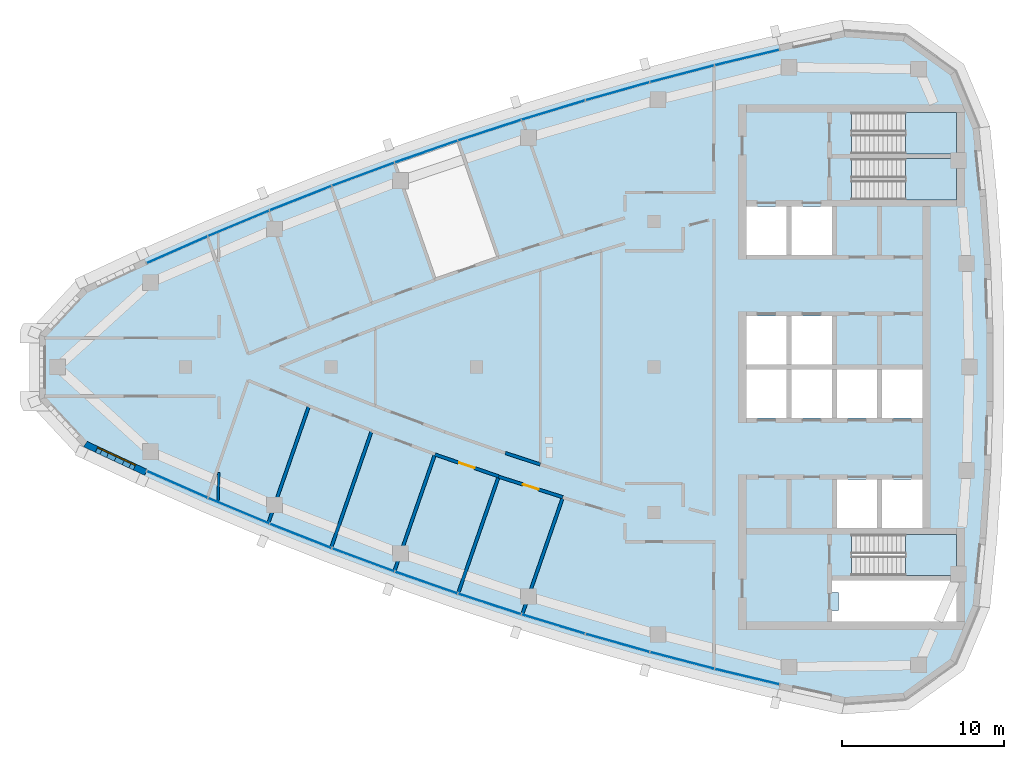
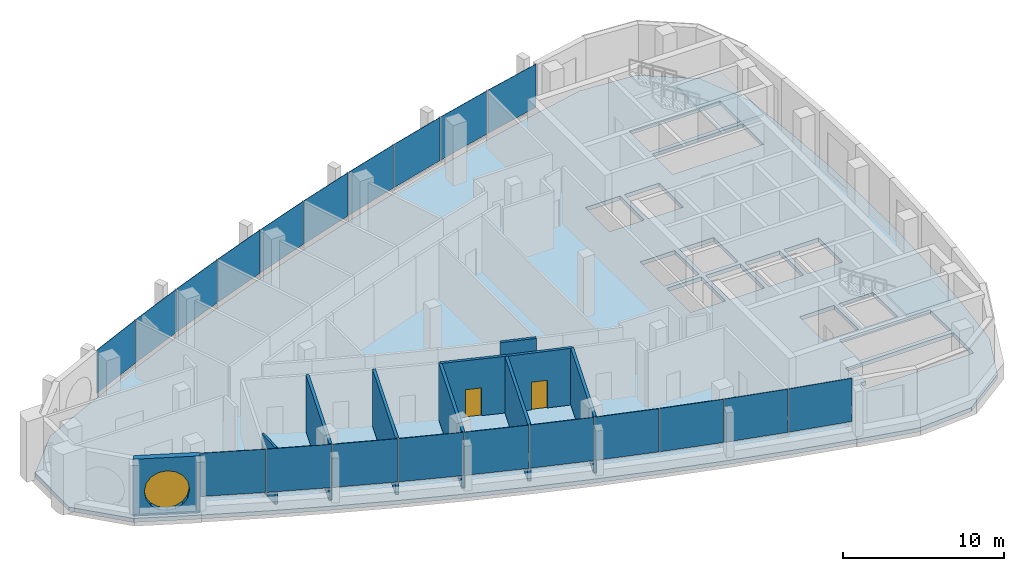
# One storey, part 6 of 15: 20 plates, 10 walls, 4 slabs, 2 doors, 1 window, 4 openings, 13 elements without a shape of their own.
"""IFC4 building model written with IfcOpenShell, lengths in metres."""

from ifc_helpers import new_model, si_unit, direction, frame, frame_2d, origin, origin_2d, place, context, subcontext, project, spatial, polyline, rectangle, outline, extrude, material, layer, layer_set, type_object, element, fill, aggregate, save


model = new_model("IFC4")

# Units and contexts
model_context = context("Model", 3, precision=1e-05, world=origin(), true_north=direction((0.0, 1.0)))
body_context = subcontext(model_context, "Body", "Model", "MODEL_VIEW")
ifc_project = project(units=[si_unit("LENGTHUNIT", "METRE"), si_unit("AREAUNIT", "SQUARE_METRE"), si_unit("VOLUMEUNIT", "CUBIC_METRE"), si_unit("PLANEANGLEUNIT", "RADIAN"), si_unit("MASSUNIT", "GRAM", prefix="KILO")], contexts=[model_context])

# Site, building, storey
site_placement = place(None, origin())
site = spatial("IfcSite", under=ifc_project, at=site_placement, CompositionType="ELEMENT")
building_placement = place(site_placement, origin())
building = spatial("IfcBuilding", under=site, at=building_placement, Name="Ostrand Prow Hotel Tower", CompositionType="ELEMENT")
storey_placement = place(building_placement, frame((0.0, 0.0, 308.60009765625)))
storey = spatial("IfcBuildingStorey", under=building, at=storey_placement, Name="C1", CompositionType="ELEMENT", Elevation=308.60009765625)

# Curtain wall, plates
ifc_material_1 = material(Name="Insulated glass in bronze anodised frame", Category="glass")
ifc_layer_1 = layer(ifc_material_1, 0.199951171875)
ifc_layer_set_1 = layer_set([ifc_layer_1], Name="Insulated glass in bronze anodised frame")
curtain_wall_type = type_object("IfcCurtainWallType", Name="Observation and restaurant glazing wall", PredefinedType="NOTDEFINED", material=ifc_layer_set_1)
curtain_wall_1_placement = place(storey_placement, origin())
curtain_wall_1 = element("IfcCurtainWall", 1, at=curtain_wall_1_placement, inside=storey, type_object=curtain_wall_type, Name="CW6 run CWS1", PredefinedType="NOTDEFINED")
ifc_material_2 = material(Name="Low-iron clear glass", Category="glass")
ifc_layer_2 = layer(ifc_material_2, 0.031982421875)
ifc_layer_set_2 = layer_set([ifc_layer_2], Name="Low-iron clear glass")
plate_type = type_object("IfcPlateType", Name="Clear glass unit 32 mm", PredefinedType="CURTAIN_PANEL", material=ifc_layer_set_2)
plate_1_placement = place(storey_placement, frame((15.493408203125, -7.259765625, 1.02001953125), z_axis=(0.0, 0.0, 1.0), x_axis=(0.914785615941, -0.403939694592, 0.0)))
plate_1 = element("IfcPlate", 2, at=plate_1_placement, type_object=plate_type, Name="CW6 PN-C panel 1.2", PredefinedType="CURTAIN_PANEL", context=body_context, shape_type="SweptSolid", body=[
    extrude(rectangle(XDim=4.079833984375, YDim=0.031982421875, at=origin_2d()), origin(), (0.0, 0.0, 1.0), 3.280029296875),
])
plate_2_placement = place(storey_placement, frame((19.297119140625, -8.893798828125, 1.02001953125), z_axis=(0.0, 0.0, 1.0), x_axis=(0.922719840955, -0.385471263659, 0.0)))
plate_2 = element("IfcPlate", 3, at=plate_2_placement, type_object=plate_type, Name="CW6 PN-C panel 2.2", PredefinedType="CURTAIN_PANEL", context=body_context, shape_type="SweptSolid", body=[
    extrude(rectangle(XDim=4.079833984375, YDim=0.031982421875, at=origin_2d()), origin(), (0.0, 0.0, 1.0), 3.280029296875),
])
aggregate(curtain_wall_1, [plate_1, plate_2])

curtain_wall_2_placement = place(storey_placement, origin())
curtain_wall_2 = element("IfcCurtainWall", 4, at=curtain_wall_2_placement, inside=storey, type_object=curtain_wall_type, Name="CW6 run CWS2", PredefinedType="NOTDEFINED")
plate_3_placement = place(storey_placement, frame((23.132568359375, -10.450927734375, 1.02001953125), z_axis=(0.0, 0.0, 1.0), x_axis=(0.930281895249, -0.366845465248, 0.0)))
plate_3 = element("IfcPlate", 5, at=plate_3_placement, type_object=plate_type, Name="CW6 PN-C panel 1.2", PredefinedType="CURTAIN_PANEL", context=body_context, shape_type="SweptSolid", body=[
    extrude(rectangle(XDim=4.079833984375, YDim=0.031982421875, at=origin_2d()), origin(), (0.0, 0.0, 1.0), 3.280029296875),
])
plate_4_placement = place(storey_placement, frame((26.99853515625, -11.930908203125, 1.02001953125), z_axis=(0.0, 0.0, 1.0), x_axis=(0.937468017947, -0.348071422738, 0.0)))
plate_4 = element("IfcPlate", 6, at=plate_4_placement, type_object=plate_type, Name="CW6 PN-C panel 2.2", PredefinedType="CURTAIN_PANEL", context=body_context, shape_type="SweptSolid", body=[
    extrude(rectangle(XDim=4.079833984375, YDim=0.031982421875, at=origin_2d()), origin(), (0.0, 0.0, 1.0), 3.280029296875),
])
aggregate(curtain_wall_2, [plate_3, plate_4])

curtain_wall_3_placement = place(storey_placement, origin())
curtain_wall_3 = element("IfcCurtainWall", 7, at=curtain_wall_3_placement, inside=storey, type_object=curtain_wall_type, Name="CW6 run CWS3", PredefinedType="NOTDEFINED")
plate_5_placement = place(storey_placement, frame((30.8935546875, -13.33251953125, 1.02001953125), z_axis=(0.0, 0.0, 1.0), x_axis=(0.944274730614, -0.329158370885, 0.0)))
plate_5 = element("IfcPlate", 8, at=plate_5_placement, type_object=plate_type, Name="CW6 PN-C panel 1.2", PredefinedType="CURTAIN_PANEL", context=body_context, shape_type="SweptSolid", body=[
    extrude(rectangle(XDim=4.079833984375, YDim=0.031982421875, at=origin_2d()), origin(), (0.0, 0.0, 1.0), 3.280029296875),
])
plate_6_placement = place(storey_placement, frame((34.81591796875, -14.65576171875, 1.02001953125), z_axis=(0.0, 0.0, 1.0), x_axis=(0.950700464612, -0.310110668289, 0.0)))
plate_6 = element("IfcPlate", 9, at=plate_6_placement, type_object=plate_type, Name="CW6 PN-C panel 2.2", PredefinedType="CURTAIN_PANEL", context=body_context, shape_type="SweptSolid", body=[
    extrude(rectangle(XDim=4.079833984375, YDim=0.031982421875, at=origin_2d()), origin(), (0.0, 0.0, 1.0), 3.280029296875),
])
aggregate(curtain_wall_3, [plate_5, plate_6])

curtain_wall_4_placement = place(storey_placement, origin())
curtain_wall_4 = element("IfcCurtainWall", 10, at=curtain_wall_4_placement, inside=storey, type_object=curtain_wall_type, Name="CW6 run CWS4", PredefinedType="NOTDEFINED")
plate_7_placement = place(storey_placement, frame((38.76416015625, -15.89990234375, 1.02001953125), z_axis=(0.0, 0.0, 1.0), x_axis=(0.956742015769, -0.290937648411, 0.0)))
plate_7 = element("IfcPlate", 11, at=plate_7_placement, type_object=plate_type, Name="CW6 PN-C panel 1.2", PredefinedType="CURTAIN_PANEL", context=body_context, shape_type="SweptSolid", body=[
    extrude(rectangle(XDim=4.079833984375, YDim=0.031982421875, at=origin_2d()), origin(), (0.0, 0.0, 1.0), 3.280029296875),
])
plate_8_placement = place(storey_placement, frame((42.736572265625, -17.064453125, 1.02001953125), z_axis=(0.0, 0.0, 1.0), x_axis=(0.962396468548, -0.271648738865, 0.0)))
plate_8 = element("IfcPlate", 12, at=plate_8_placement, type_object=plate_type, Name="CW6 PN-C panel 2.2", PredefinedType="CURTAIN_PANEL", context=body_context, shape_type="SweptSolid", body=[
    extrude(rectangle(XDim=4.079833984375, YDim=0.031982421875, at=origin_2d()), origin(), (0.0, 0.0, 1.0), 3.280029296875),
])
aggregate(curtain_wall_4, [plate_7, plate_8])

curtain_wall_5_placement = place(storey_placement, origin())
curtain_wall_5 = element("IfcCurtainWall", 13, at=curtain_wall_5_placement, inside=storey, type_object=curtain_wall_type, Name="CW6 run CWS5", PredefinedType="NOTDEFINED")
plate_9_placement = place(storey_placement, frame((46.731689453125, -18.148681640625, 1.02001953125), z_axis=(0.0, 0.0, 1.0), x_axis=(0.967662519855, -0.252248384867, 0.0)))
plate_9 = element("IfcPlate", 14, at=plate_9_placement, type_object=plate_type, Name="CW6 PN-C panel 1.2", PredefinedType="CURTAIN_PANEL", context=body_context, shape_type="SweptSolid", body=[
    extrude(rectangle(XDim=4.079833984375, YDim=0.031982421875, at=origin_2d()), origin(), (0.0, 0.0, 1.0), 3.280029296875),
])
plate_10_placement = place(storey_placement, frame((50.74755859375, -19.152587890625, 1.02001953125), z_axis=(0.0, 0.0, 1.0), x_axis=(0.972537533869, -0.232746096028, 0.0)))
plate_10 = element("IfcPlate", 15, at=plate_10_placement, type_object=plate_type, Name="CW6 PN-C panel 2.2", PredefinedType="CURTAIN_PANEL", context=body_context, shape_type="SweptSolid", body=[
    extrude(rectangle(XDim=4.079833984375, YDim=0.031982421875, at=origin_2d()), origin(), (0.0, 0.0, 1.0), 3.280029296875),
])
aggregate(curtain_wall_5, [plate_9, plate_10])

curtain_wall_6_placement = place(storey_placement, origin())
curtain_wall_6 = element("IfcCurtainWall", 16, at=curtain_wall_6_placement, inside=storey, type_object=curtain_wall_type, Name="CW6 run CWN1", PredefinedType="NOTDEFINED")
plate_11_placement = place(storey_placement, frame((50.74755859375, 19.152587890625, 1.02001953125), z_axis=(0.0, 0.0, 1.0), x_axis=(-0.972537533869, -0.232746096028, 0.0)))
plate_11 = element("IfcPlate", 17, at=plate_11_placement, type_object=plate_type, Name="CW6 PN-C panel 1.2", PredefinedType="CURTAIN_PANEL", context=body_context, shape_type="SweptSolid", body=[
    extrude(rectangle(XDim=4.079833984375, YDim=0.031982421875, at=origin_2d()), origin(), (0.0, 0.0, 1.0), 3.280029296875),
])
plate_12_placement = place(storey_placement, frame((46.731689453125, 18.148681640625, 1.02001953125), z_axis=(0.0, 0.0, 1.0), x_axis=(-0.967662519855, -0.252248384867, 0.0)))
plate_12 = element("IfcPlate", 18, at=plate_12_placement, type_object=plate_type, Name="CW6 PN-C panel 2.2", PredefinedType="CURTAIN_PANEL", context=body_context, shape_type="SweptSolid", body=[
    extrude(rectangle(XDim=4.079833984375, YDim=0.031982421875, at=origin_2d()), origin(), (0.0, 0.0, 1.0), 3.280029296875),
])
aggregate(curtain_wall_6, [plate_11, plate_12])

curtain_wall_7_placement = place(storey_placement, origin())
curtain_wall_7 = element("IfcCurtainWall", 19, at=curtain_wall_7_placement, inside=storey, type_object=curtain_wall_type, Name="CW6 run CWN2", PredefinedType="NOTDEFINED")
plate_13_placement = place(storey_placement, frame((42.736572265625, 17.064453125, 1.02001953125), z_axis=(0.0, 0.0, 1.0), x_axis=(-0.962396468548, -0.271648738865, 0.0)))
plate_13 = element("IfcPlate", 20, at=plate_13_placement, type_object=plate_type, Name="CW6 PN-C panel 1.2", PredefinedType="CURTAIN_PANEL", context=body_context, shape_type="SweptSolid", body=[
    extrude(rectangle(XDim=4.079833984375, YDim=0.031982421875, at=origin_2d()), origin(), (0.0, 0.0, 1.0), 3.280029296875),
])
plate_14_placement = place(storey_placement, frame((38.76416015625, 15.89990234375, 1.02001953125), z_axis=(0.0, 0.0, 1.0), x_axis=(-0.956742015769, -0.290937648411, 0.0)))
plate_14 = element("IfcPlate", 21, at=plate_14_placement, type_object=plate_type, Name="CW6 PN-C panel 2.2", PredefinedType="CURTAIN_PANEL", context=body_context, shape_type="SweptSolid", body=[
    extrude(rectangle(XDim=4.079833984375, YDim=0.031982421875, at=origin_2d()), origin(), (0.0, 0.0, 1.0), 3.280029296875),
])
aggregate(curtain_wall_7, [plate_13, plate_14])

curtain_wall_8_placement = place(storey_placement, origin())
curtain_wall_8 = element("IfcCurtainWall", 22, at=curtain_wall_8_placement, inside=storey, type_object=curtain_wall_type, Name="CW6 run CWN3", PredefinedType="NOTDEFINED")
plate_15_placement = place(storey_placement, frame((34.81591796875, 14.65576171875, 1.02001953125), z_axis=(0.0, 0.0, 1.0), x_axis=(-0.950700464612, -0.310110668289, 0.0)))
plate_15 = element("IfcPlate", 23, at=plate_15_placement, type_object=plate_type, Name="CW6 PN-C panel 1.2", PredefinedType="CURTAIN_PANEL", context=body_context, shape_type="SweptSolid", body=[
    extrude(rectangle(XDim=4.079833984375, YDim=0.031982421875, at=origin_2d()), origin(), (0.0, 0.0, 1.0), 3.280029296875),
])
plate_16_placement = place(storey_placement, frame((30.8935546875, 13.33251953125, 1.02001953125), z_axis=(0.0, 0.0, 1.0), x_axis=(-0.944274730614, -0.329158370885, 0.0)))
plate_16 = element("IfcPlate", 24, at=plate_16_placement, type_object=plate_type, Name="CW6 PN-C panel 2.2", PredefinedType="CURTAIN_PANEL", context=body_context, shape_type="SweptSolid", body=[
    extrude(rectangle(XDim=4.079833984375, YDim=0.031982421875, at=origin_2d()), origin(), (0.0, 0.0, 1.0), 3.280029296875),
])
aggregate(curtain_wall_8, [plate_15, plate_16])

curtain_wall_9_placement = place(storey_placement, origin())
curtain_wall_9 = element("IfcCurtainWall", 25, at=curtain_wall_9_placement, inside=storey, type_object=curtain_wall_type, Name="CW6 run CWN4", PredefinedType="NOTDEFINED")
plate_17_placement = place(storey_placement, frame((26.99853515625, 11.930908203125, 1.02001953125), z_axis=(0.0, 0.0, 1.0), x_axis=(-0.937468017947, -0.348071422738, 0.0)))
plate_17 = element("IfcPlate", 26, at=plate_17_placement, type_object=plate_type, Name="CW6 PN-C panel 1.2", PredefinedType="CURTAIN_PANEL", context=body_context, shape_type="SweptSolid", body=[
    extrude(rectangle(XDim=4.079833984375, YDim=0.031982421875, at=origin_2d()), origin(), (0.0, 0.0, 1.0), 3.280029296875),
])
plate_18_placement = place(storey_placement, frame((23.132568359375, 10.450927734375, 1.02001953125), z_axis=(0.0, 0.0, 1.0), x_axis=(-0.930281895249, -0.366845465248, 0.0)))
plate_18 = element("IfcPlate", 27, at=plate_18_placement, type_object=plate_type, Name="CW6 PN-C panel 2.2", PredefinedType="CURTAIN_PANEL", context=body_context, shape_type="SweptSolid", body=[
    extrude(rectangle(XDim=4.079833984375, YDim=0.031982421875, at=origin_2d()), origin(), (0.0, 0.0, 1.0), 3.280029296875),
])
aggregate(curtain_wall_9, [plate_17, plate_18])

curtain_wall_10_placement = place(storey_placement, origin())
curtain_wall_10 = element("IfcCurtainWall", 28, at=curtain_wall_10_placement, inside=storey, type_object=curtain_wall_type, Name="CW6 run CWN5", PredefinedType="NOTDEFINED")
plate_19_placement = place(storey_placement, frame((19.297119140625, 8.893798828125, 1.02001953125), z_axis=(0.0, 0.0, 1.0), x_axis=(-0.922719840955, -0.385471263659, 0.0)))
plate_19 = element("IfcPlate", 29, at=plate_19_placement, type_object=plate_type, Name="CW6 PN-C panel 1.2", PredefinedType="CURTAIN_PANEL", context=body_context, shape_type="SweptSolid", body=[
    extrude(rectangle(XDim=4.079833984375, YDim=0.031982421875, at=origin_2d()), origin(), (0.0, 0.0, 1.0), 3.280029296875),
])
plate_20_placement = place(storey_placement, frame((15.493408203125, 7.259765625, 1.02001953125), z_axis=(0.0, 0.0, 1.0), x_axis=(-0.914785615941, -0.403939694592, 0.0)))
plate_20 = element("IfcPlate", 30, at=plate_20_placement, type_object=plate_type, Name="CW6 PN-C panel 2.2", PredefinedType="CURTAIN_PANEL", context=body_context, shape_type="SweptSolid", body=[
    extrude(rectangle(XDim=4.079833984375, YDim=0.031982421875, at=origin_2d()), origin(), (0.0, 0.0, 1.0), 3.280029296875),
])
aggregate(curtain_wall_10, [plate_19, plate_20])

# Slab, opening
ifc_material_3 = material(Name="Concrete C40/50", Category="concrete")
ifc_layer_3 = layer(ifc_material_3, 0.300048828125)
ifc_layer_set_3 = layer_set([ifc_layer_3], Name="Concrete C40/50")
slab_type_1 = type_object("IfcSlabType", Name="PT flat plate 300 C40/50", PredefinedType="FLOOR", material=ifc_layer_set_3)
slab_1_placement = place(storey_placement, frame((0.0, 0.0, -0.300048828125)))
slab_1 = element("IfcSlab", 31, at=slab_1_placement, inside=storey, type_object=slab_type_1, Name="Floor slab C1-1", PredefinedType="FLOOR", context=body_context, shape_type="SweptSolid", body=[
    extrude(outline(polyline([(9.560791015625, 5.168212890625), (13.365478515625, 6.9404296875), (17.1630859375, 8.6171875), (20.993408203125, 10.21728515625), (24.855224609375, 11.740234375), (28.746826171875, 13.185302734375), (32.666748046875, 14.551513671875), (36.61328125, 15.8388671875), (40.5849609375, 17.046630859375), (44.580078125, 18.17431640625), (48.596923828125, 19.221435546875), (52.634033203125, 20.187744140625), (56.72265625, 21.07958984375), (60.634765625, 20.80029296875), (63.84765625, 18.49072265625), (65.35888671875, 14.87060546875), (65.796875, 10.611083984375), (66.0869140625, 6.37158203125), (66.23193359375, 2.124755859375), (66.23193359375, -2.124755859375), (66.0869140625, -6.37158203125), (65.796875, -10.611083984375), (65.35888671875, -14.87060546875), (63.84765625, -18.49072265625), (60.634765625, -20.80029296875), (56.72265625, -21.07958984375), (52.634033203125, -20.187744140625), (48.596923828125, -19.221435546875), (44.580078125, -18.17431640625), (40.5849609375, -17.046630859375), (36.61328125, -15.8388671875), (32.666748046875, -14.551513671875), (28.746826171875, -13.185302734375), (24.855224609375, -11.740234375), (20.993408203125, -10.21728515625), (17.1630859375, -8.6171875), (13.365478515625, -6.9404296875), (9.560791015625, -5.168212890625), (6.71484375, -2.112548828125), (6.71484375, 2.112548828125), (9.560791015625, 5.168212890625)]), holes=[polyline([(50.699951171875, 6.949951171875), (53.199951171875, 6.949951171875), (53.199951171875, 9.949951171875), (50.699951171875, 9.949951171875), (50.699951171875, 6.949951171875)]), polyline([(53.5, 6.949951171875), (56.0, 6.949951171875), (56.0, 9.949951171875), (53.5, 9.949951171875), (53.5, 6.949951171875)]), polyline([(50.699951171875, 0.14990234375), (53.199951171875, 0.14990234375), (53.199951171875, 3.14990234375), (50.699951171875, 3.14990234375), (50.699951171875, 0.14990234375)]), polyline([(53.5, 0.14990234375), (56.0, 0.14990234375), (56.0, 3.14990234375), (53.5, 3.14990234375), (53.5, 0.14990234375)]), polyline([(50.699951171875, -3.14990234375), (53.199951171875, -3.14990234375), (53.199951171875, -0.14990234375), (50.699951171875, -0.14990234375), (50.699951171875, -3.14990234375)]), polyline([(53.5, -3.14990234375), (56.0, -3.14990234375), (56.0, -0.14990234375), (53.5, -0.14990234375), (53.5, -3.14990234375)]), polyline([(56.300048828125, -3.14990234375), (58.800048828125, -3.14990234375), (58.800048828125, -0.14990234375), (56.300048828125, -0.14990234375), (56.300048828125, -3.14990234375)]), polyline([(59.10009765625, -3.14990234375), (61.60009765625, -3.14990234375), (61.60009765625, -0.14990234375), (59.10009765625, -0.14990234375), (59.10009765625, -3.14990234375)]), polyline([(56.300048828125, -9.949951171875), (58.800048828125, -9.949951171875), (58.800048828125, -6.949951171875), (56.300048828125, -6.949951171875), (56.300048828125, -9.949951171875)]), polyline([(59.10009765625, -9.949951171875), (61.60009765625, -9.949951171875), (61.60009765625, -6.949951171875), (59.10009765625, -6.949951171875), (59.10009765625, -9.949951171875)]), polyline([(57.200927734375, 10.35107421875), (57.200927734375, 12.89892578125), (63.718994140625, 12.89892578125), (63.718994140625, 10.35107421875), (57.200927734375, 10.35107421875)]), polyline([(57.200927734375, 13.200927734375), (57.200927734375, 15.7490234375), (63.718994140625, 15.7490234375), (63.718994140625, 13.200927734375), (57.200927734375, 13.200927734375)]), polyline([(57.200927734375, -12.89892578125), (57.200927734375, -10.35107421875), (63.718994140625, -10.35107421875), (63.718994140625, -12.89892578125), (57.200927734375, -12.89892578125)]), polyline([(56.0, -13.949951171875), (56.0, -13.199951171875), (63.719970703125, -13.199951171875), (63.719970703125, -15.75), (56.0, -15.75), (56.0, -15.050048828125), (56.39990234375, -15.050048828125), (56.39990234375, -13.949951171875), (56.0, -13.949951171875)])]), origin(), (0.0, 0.0, 1.0), 0.300048828125),
])
opening_1_placement = place(slab_1_placement, origin())
element("IfcOpeningElement", 32, at=opening_1_placement, cuts=slab_1, Name="Shaft opening 1", PredefinedType="OPENING", context=body_context, shape_type="SweptSolid", body=[
    extrude(outline(polyline([(56.0, -13.949951171875), (56.0, -13.199951171875), (63.719970703125, -13.199951171875), (63.719970703125, -15.75), (56.0, -15.75), (56.0, -15.050048828125), (56.39990234375, -15.050048828125), (56.39990234375, -13.949951171875), (56.0, -13.949951171875)])), origin(), (0.0, 0.0, 1.0), 0.300048828125),
])

# Stair, slab
ifc_material_4 = material(Name="Concrete C40/50", Category="concrete")
stair_type = type_object("IfcStairType", Name="Exit stair 1200 upper zone", PredefinedType="HALF_TURN_STAIR", material=ifc_material_4)
stair_1_placement = place(storey_placement, origin())
stair_1 = element("IfcStair", 33, at=stair_1_placement, inside=storey, type_object=stair_type, Name="C1 ST1C", PredefinedType="HALF_TURN_STAIR")
ifc_material_5 = material(Name="Concrete C40/50", Category="concrete")
ifc_layer_4 = layer(ifc_material_5, 0.199951171875)
ifc_layer_set_4 = layer_set([ifc_layer_4], Name="Concrete C40/50")
slab_type_2 = type_object("IfcSlabType", Name="Stair landing 200 concrete", PredefinedType="LANDING", material=ifc_layer_set_4)
slab_2_placement = place(storey_placement, frame((0.0, 0.0, 2.099853515625)))
slab_2 = element("IfcSlab", 34, at=slab_2_placement, type_object=slab_type_2, Name="ST1C landing 1", PredefinedType="LANDING", context=body_context, shape_type="SweptSolid", body=[
    extrude(outline(polyline([(60.56005859375, 10.35009765625), (63.719970703125, 10.35009765625), (63.719970703125, 12.89990234375), (60.56005859375, 12.89990234375), (60.56005859375, 10.35009765625)])), origin(), (0.0, 0.0, 1.0), 0.199951171875),
])
aggregate(stair_1, [slab_2])

stair_2_placement = place(storey_placement, origin())
stair_2 = element("IfcStair", 35, at=stair_2_placement, inside=storey, type_object=stair_type, Name="C1 ST3C", PredefinedType="HALF_TURN_STAIR")
slab_3_placement = place(storey_placement, frame((0.0, 0.0, 2.099853515625)))
slab_3 = element("IfcSlab", 36, at=slab_3_placement, type_object=slab_type_2, Name="ST3C landing 1", PredefinedType="LANDING", context=body_context, shape_type="SweptSolid", body=[
    extrude(outline(polyline([(60.56005859375, 13.199951171875), (63.719970703125, 13.199951171875), (63.719970703125, 15.75), (60.56005859375, 15.75), (60.56005859375, 13.199951171875)])), origin(), (0.0, 0.0, 1.0), 0.199951171875),
])
aggregate(stair_2, [slab_3])

stair_3_placement = place(storey_placement, origin())
stair_3 = element("IfcStair", 37, at=stair_3_placement, inside=storey, type_object=stair_type, Name="C1 ST2C", PredefinedType="HALF_TURN_STAIR")
slab_4_placement = place(storey_placement, frame((0.0, 0.0, 2.099853515625)))
slab_4 = element("IfcSlab", 38, at=slab_4_placement, type_object=slab_type_2, Name="ST2C landing 1", PredefinedType="LANDING", context=body_context, shape_type="SweptSolid", body=[
    extrude(outline(polyline([(60.56005859375, -12.89990234375), (63.719970703125, -12.89990234375), (63.719970703125, -10.35009765625), (60.56005859375, -10.35009765625), (60.56005859375, -12.89990234375)])), origin(), (0.0, 0.0, 1.0), 0.199951171875),
])
aggregate(stair_3, [slab_4])

# Wall
ifc_material_6 = material(Name="Plasterboard partition")
ifc_layer_5 = layer(ifc_material_6, 0.14990234375)
ifc_layer_set_5 = layer_set([ifc_layer_5], Name="Plasterboard partition")
wall_type_1 = type_object("IfcWallType", Name="Partition 150 room partition", PredefinedType="PARTITIONING", material=ifc_layer_set_5)
wall_1_placement = place(storey_placement, frame((18.071533203125, -6.51123046875, 0.0), z_axis=(0.0, 0.0, 1.0), x_axis=(-0.031386501995, -0.999507322381, 0.0)))
element("IfcWall", 39, at=wall_1_placement, inside=storey, type_object=wall_type_1, Name="ROOM PARTITION", PredefinedType="PARTITIONING", context=body_context, shape_type="SweptSolid", body=[
    extrude(rectangle(XDim=1.758056640625, YDim=0.14990234375, at=frame_2d((0.87890625, 0.0))), origin(), (0.0, 0.0, 1.0), 4.2998046875),
])

# Wall, opening, door
ifc_material_7 = material(Name="Plasterboard partition")
ifc_layer_6 = layer(ifc_material_7, 0.199951171875)
ifc_layer_set_6 = layer_set([ifc_layer_6], Name="Plasterboard partition")
wall_type_2 = type_object("IfcWallType", Name="Partition 200 corridor wall", PredefinedType="PARTITIONING", material=ifc_layer_set_6)
wall_2_placement = place(storey_placement, frame((31.43408203125, -5.404052734375, 0.0), z_axis=(0.0, 0.0, 1.0), x_axis=(0.945814630363, -0.324707075672, 0.0)))
wall_2 = element("IfcWall", 40, at=wall_2_placement, inside=storey, type_object=wall_type_2, Name="CORRIDOR WALL", PredefinedType="PARTITIONING", context=body_context, shape_type="SweptSolid", body=[
    extrude(rectangle(XDim=4.17431640625, YDim=0.199951171875, at=frame_2d((2.087158203125, 0.0))), origin(), (0.0, 0.0, 1.0), 4.2998046875),
])
opening_2_placement = place(wall_2_placement, frame((1.587158203125, 0.0, 0.0)))
opening_2 = element("IfcOpeningElement", 41, at=opening_2_placement, cuts=wall_2, Name="Opening D1R", PredefinedType="OPENING", context=body_context, shape_type="SweptSolid", body=[
    extrude(rectangle(XDim=1.0, YDim=2.10009765625, at=frame_2d((0.5, 1.050048828125))), frame((0.0, 0.10986328125, 0.0), z_axis=(0.0, -1.0, 0.0), x_axis=(1.0, 0.0, 0.0)), (0.0, 0.0, 1.0), 0.219970703125),
])
ifc_material_8 = material(Name="Timber door leaf", Category="wood")
door_type_1 = type_object("IfcDoorType", Name="Guest room door 1000 right", OperationType="SINGLE_SWING_RIGHT", PredefinedType="DOOR", material=ifc_material_8)
door_1_placement = place(opening_2_placement, origin())
door_1 = element("IfcDoor", 42, at=door_1_placement, inside=storey, type_object=door_type_1, Name="DOOR", OperationType="SINGLE_SWING_RIGHT", OverallHeight=2.10009765625, OverallWidth=1.0, PredefinedType="DOOR", context=body_context, shape_type="SweptSolid", body=[
    extrude(rectangle(XDim=1.0, YDim=2.10009765625, at=frame_2d((0.5, 1.050048828125))), frame((0.0, 0.02490234375, 0.0), z_axis=(0.0, -1.0, 0.0), x_axis=(1.0, 0.0, 0.0)), (0.0, 0.0, 1.0), 0.050048828125),
])
fill(opening_2, door_1)

wall_3_placement = place(storey_placement, frame((35.375732421875, -6.778564453125, 0.0), z_axis=(0.0, 0.0, 1.0), x_axis=(0.952572699992, -0.304311109278, 0.0)))
wall_3 = element("IfcWall", 43, at=wall_3_placement, inside=storey, type_object=wall_type_2, Name="CORRIDOR WALL", PredefinedType="PARTITIONING", context=body_context, shape_type="SweptSolid", body=[
    extrude(rectangle(XDim=4.17578125, YDim=0.199951171875, at=frame_2d((2.087890625, 0.0))), origin(), (0.0, 0.0, 1.0), 4.2998046875),
])
opening_3_placement = place(wall_3_placement, frame((1.587890625, 0.0, 0.0)))
opening_3 = element("IfcOpeningElement", 44, at=opening_3_placement, cuts=wall_3, Name="Opening D1", PredefinedType="OPENING", context=body_context, shape_type="SweptSolid", body=[
    extrude(rectangle(XDim=1.0, YDim=2.10009765625, at=frame_2d((0.5, 1.050048828125))), frame((0.0, 0.10986328125, 0.0), z_axis=(0.0, -1.0, 0.0), x_axis=(1.0, 0.0, 0.0)), (0.0, 0.0, 1.0), 0.219970703125),
])
ifc_material_9 = material(Name="Timber door leaf", Category="wood")
door_type_2 = type_object("IfcDoorType", Name="Guest room door 1000", OperationType="SINGLE_SWING_LEFT", PredefinedType="DOOR", material=ifc_material_9)
door_2_placement = place(opening_3_placement, origin())
door_2 = element("IfcDoor", 45, at=door_2_placement, inside=storey, type_object=door_type_2, Name="DOOR", OperationType="SINGLE_SWING_LEFT", OverallHeight=2.10009765625, OverallWidth=1.0, PredefinedType="DOOR", context=body_context, shape_type="SweptSolid", body=[
    extrude(rectangle(XDim=1.0, YDim=2.10009765625, at=frame_2d((0.5, 1.050048828125))), frame((0.0, 0.02490234375, 0.0), z_axis=(0.0, -1.0, 0.0), x_axis=(1.0, 0.0, 0.0)), (0.0, 0.0, 1.0), 0.050048828125),
])
fill(opening_3, door_2)

# Walls
wall_4_placement = place(storey_placement, frame((37.95166015625, -6.02001953125, 0.0), z_axis=(0.0, 0.0, 1.0), x_axis=(-0.950697596331, 0.310119461386, 0.0)))
element("IfcWall", 46, at=wall_4_placement, inside=storey, type_object=wall_type_2, Name="CORRIDOR WALL", PredefinedType="PARTITIONING", context=body_context, shape_type="SweptSolid", body=[
    extrude(rectangle(XDim=2.28076171875, YDim=0.199951171875, at=frame_2d((1.140380859375, 0.0))), origin(), (0.0, 0.0, 1.0), 4.2998046875),
])
ifc_material_10 = material(Name="Plasterboard partition")
ifc_layer_7 = layer(ifc_material_10, 0.199951171875)
ifc_layer_set_7 = layer_set([ifc_layer_7], Name="Plasterboard partition")
wall_type_3 = type_object("IfcWallType", Name="Partition 200 key partition", PredefinedType="PARTITIONING", material=ifc_layer_set_7)
wall_5_placement = place(storey_placement, frame((21.1533203125, -9.579833984375, 0.0), z_axis=(0.0, 0.0, 1.0), x_axis=(0.327708457606, 0.944778898374, 0.0)))
element("IfcWall", 47, at=wall_5_placement, inside=storey, type_object=wall_type_3, Name="KEY PARTITION", PredefinedType="PARTITIONING", context=body_context, shape_type="SweptSolid", body=[
    extrude(rectangle(XDim=7.614501953125, YDim=0.199951171875, at=frame_2d((3.80712890625, 0.0))), origin(), (0.0, 0.0, 1.0), 4.2998046875),
])
wall_6_placement = place(storey_placement, frame((25.03759765625, -11.113525390625, 0.0), z_axis=(0.0, 0.0, 1.0), x_axis=(0.327730022722, 0.944771417966, 0.0)))
element("IfcWall", 48, at=wall_6_placement, inside=storey, type_object=wall_type_3, Name="KEY PARTITION", PredefinedType="PARTITIONING", context=body_context, shape_type="SweptSolid", body=[
    extrude(rectangle(XDim=7.606689453125, YDim=0.199951171875, at=frame_2d((3.80322265625, 0.0))), origin(), (0.0, 0.0, 1.0), 4.2998046875),
])
wall_7_placement = place(storey_placement, frame((28.949462890625, -12.567138671875, 0.0), z_axis=(0.0, 0.0, 1.0), x_axis=(0.327746961166, 0.944765542051, 0.0)))
element("IfcWall", 49, at=wall_7_placement, inside=storey, type_object=wall_type_3, Name="KEY PARTITION", PredefinedType="PARTITIONING", context=body_context, shape_type="SweptSolid", body=[
    extrude(rectangle(XDim=7.601806640625, YDim=0.199951171875, at=frame_2d((3.80078125, 0.0))), origin(), (0.0, 0.0, 1.0), 4.2998046875),
])
wall_8_placement = place(storey_placement, frame((32.891357421875, -13.941162109375, 0.0), z_axis=(0.0, 0.0, 1.0), x_axis=(0.327699570064, 0.944781981083, 0.0)))
element("IfcWall", 50, at=wall_8_placement, inside=storey, type_object=wall_type_3, Name="KEY PARTITION", PredefinedType="PARTITIONING", context=body_context, shape_type="SweptSolid", body=[
    extrude(rectangle(XDim=7.601318359375, YDim=0.199951171875, at=frame_2d((3.80078125, 0.0))), origin(), (0.0, 0.0, 1.0), 4.2998046875),
])
wall_9_placement = place(storey_placement, frame((36.86083984375, -15.23486328125, 0.0), z_axis=(0.0, 0.0, 1.0), x_axis=(0.327741126954, 0.944767565967, 0.0)))
element("IfcWall", 51, at=wall_9_placement, inside=storey, type_object=wall_type_3, Name="KEY PARTITION", PredefinedType="PARTITIONING", context=body_context, shape_type="SweptSolid", body=[
    extrude(rectangle(XDim=7.605712890625, YDim=0.199951171875, at=frame_2d((3.802734375, 0.0))), origin(), (0.0, 0.0, 1.0), 4.2998046875),
])

# Wall, opening, window
ifc_material_11 = material(Name="Precast concrete C40/50", Category="concrete")
ifc_layer_8 = layer(ifc_material_11, 0.39990234375)
ifc_layer_set_8 = layer_set([ifc_layer_8], Name="Precast concrete C40/50")
wall_type_4 = type_object("IfcWallType", Name="Stone-faced precast wall 400 mm", PredefinedType="NOTDEFINED", material=ifc_layer_set_8)
wall_10_placement = place(storey_placement, frame((9.80419921875, -4.765869140625, 0.0), z_axis=(0.0, 0.0, 1.0), x_axis=(0.906485602396, -0.42223672584, 0.0)))
wall_10 = element("IfcWall", 52, at=wall_10_placement, inside=storey, type_object=wall_type_4, Name="Stone-faced wall prow 5", PredefinedType="NOTDEFINED", context=body_context, shape_type="SweptSolid", body=[
    extrude(outline(polyline([(-0.0390625, -0.199951171875), (4.1416015625, -0.199951171875), (4.1416015625, 0.199951171875), (0.0390625, 0.199951171875), (-0.0390625, -0.199951171875)])), origin(), (0.0, 0.0, 1.0), 4.2998046875),
])
opening_4_placement = place(wall_10_placement, frame((0.6708984375, 0.0, 0.300048828125)))
opening_4 = element("IfcOpeningElement", 53, at=opening_4_placement, cuts=wall_10, Name="Opening WO1", PredefinedType="OPENING", context=body_context, shape_type="SweptSolid", body=[
    extrude(outline(polyline([(0.0, 1.60009765625), (0.106689453125, 2.1357421875), (0.41015625, 2.58984375), (0.8642578125, 2.893310546875), (1.39990234375, 3.0), (1.935791015625, 2.893310546875), (2.389892578125, 2.58984375), (2.693359375, 2.1357421875), (2.800048828125, 1.60009765625), (2.800048828125, 1.39990234375), (2.693359375, 0.8642578125), (2.389892578125, 0.41015625), (1.935791015625, 0.106689453125), (1.39990234375, 0.0), (0.8642578125, 0.106689453125), (0.41015625, 0.41015625), (0.106689453125, 0.8642578125), (0.0, 1.39990234375), (0.0, 1.60009765625)])), frame((0.0, 0.2099609375, 0.0), z_axis=(0.0, -1.0, 0.0), x_axis=(1.0, 0.0, 0.0)), (0.0, 0.0, 1.0), 0.419921875),
])
ifc_material_12 = material(Name="Insulated glass in bronze frame", Category="glass")
window_type = type_object("IfcWindowType", Name="Observation deck prow window 2800x3000", PartitioningType="SINGLE_PANEL", PredefinedType="WINDOW", material=ifc_material_12)
window_placement = place(opening_4_placement, origin())
window = element("IfcWindow", 54, at=window_placement, inside=storey, type_object=window_type, Name="Window prow 5.1", OverallHeight=3.0, OverallWidth=2.800048828125, PartitioningType="SINGLE_PANEL", PredefinedType="WINDOW", context=body_context, shape_type="SweptSolid", body=[
    extrude(outline(polyline([(0.0, 1.60009765625), (0.106689453125, 2.1357421875), (0.41015625, 2.58984375), (0.8642578125, 2.893310546875), (1.39990234375, 3.0), (1.935791015625, 2.893310546875), (2.389892578125, 2.58984375), (2.693359375, 2.1357421875), (2.800048828125, 1.60009765625), (2.800048828125, 1.39990234375), (2.693359375, 0.8642578125), (2.389892578125, 0.41015625), (1.935791015625, 0.106689453125), (1.39990234375, 0.0), (0.8642578125, 0.106689453125), (0.41015625, 0.41015625), (0.106689453125, 0.8642578125), (0.0, 1.39990234375), (0.0, 1.60009765625)])), frame((0.0, 0.169921875, 0.0), z_axis=(0.0, -1.0, 0.0), x_axis=(1.0, 0.0, 0.0)), (0.0, 0.0, 1.0), 0.06005859375),
])
fill(opening_4, window)

save(model, "model.ifc")
